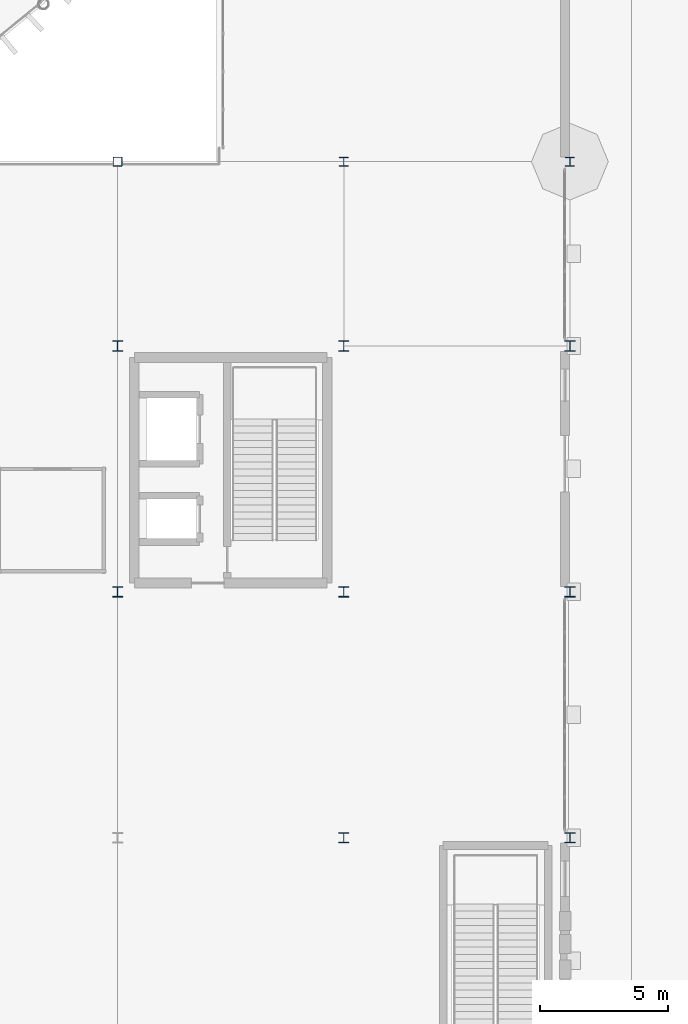
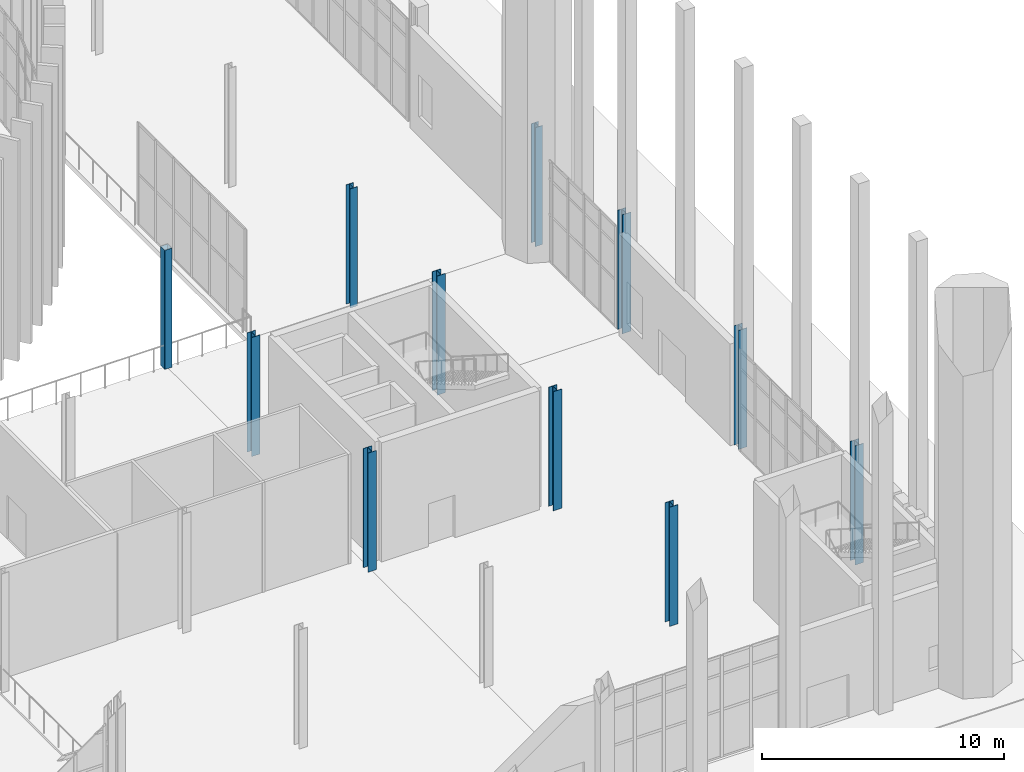
# One storey, part 18 of 139: 11 columns.
"""IFC4 building model written with IfcOpenShell, lengths in metres."""

import ifcopenshell
import ifcopenshell.guid

model = None  # the IFC model being written
_history = None  # IfcOwnerHistory: only IFC2X3 demands one
_inside = {}  # id of a spatial element -> (the spatial element, [elements in it])
_under = {}  # id of a project, library or spatial element -> (it, [spatial elements below it])
_declared = {}  # id of a project -> (the project, [libraries it declares])
_typed = {}  # id of a type object -> (the type object, [elements of that type])
_made_of = {}  # id of a material, layer set ... -> (it, [elements and type objects made of it])


def new_model(schema):
    """Start an empty IFC model of exactly this schema.

    Asked for "IFC4X3", IfcOpenShell would pick the latest addendum, in which some entities
    have other attributes; the version numbers below select the first issue.
    IFC2X3 requires an IfcOwnerHistory on every rooted entity: one is made here for all.
    """
    global model, _history
    if schema == "IFC4X3":
        model = ifcopenshell.file(schema_version=(4, 3, 0, 0))
    else:
        model = ifcopenshell.file(schema=schema)
    _inside.clear()
    _under.clear()
    _declared.clear()
    _typed.clear()
    _made_of.clear()
    _history = None
    if model.schema == "IFC2X3":
        org = make("IfcOrganization", Name="unknown")
        user = make(
            "IfcPersonAndOrganization",
            ThePerson=make("IfcPerson", FamilyName="unknown"),
            TheOrganization=org,
        )
        app = make(
            "IfcApplication",
            ApplicationDeveloper=org,
            Version="unknown",
            ApplicationFullName="unknown",
            ApplicationIdentifier="unknown",
        )
        _history = make(
            "IfcOwnerHistory",
            OwningUser=user,
            OwningApplication=app,
            ChangeAction="ADDED",
            CreationDate=0,
        )
    return model


def make(cls, **values):
    """One entity of the class cls with the attributes given. An attribute that is None is left unset."""
    return model.create_entity(
        cls, **{name: value for name, value in values.items() if value is not None}
    )


def rooted(cls, **values):
    """An entity with a GlobalId (a new one), such as an element, a storey or a relation."""
    return make(cls, GlobalId=ifcopenshell.guid.new(), OwnerHistory=_history, **values)


def si_unit(unit_type, name, prefix=None):
    """IfcSIUnit, for example si_unit("LENGTHUNIT", "METRE", prefix="MILLI")."""
    return make("IfcSIUnit", UnitType=unit_type, Prefix=prefix, Name=name)


def assignment(units):
    """IfcUnitAssignment: the units of a project."""
    return None if units is None else make("IfcUnitAssignment", Units=units)


def point(xyz):
    """IfcCartesianPoint."""
    return None if xyz is None else make("IfcCartesianPoint", Coordinates=xyz)


def direction(xyz):
    """IfcDirection."""
    return None if xyz is None else make("IfcDirection", DirectionRatios=xyz)


def frame(location, z_axis=None, x_axis=None):
    """IfcAxis2Placement3D, a coordinate frame: its origin and axes. An axis left out is left unset."""
    return make(
        "IfcAxis2Placement3D",
        Location=point(location),
        Axis=direction(z_axis),
        RefDirection=direction(x_axis),
    )


def frame_2d(location, x_axis=None):
    """IfcAxis2Placement2D, a coordinate frame in the plane: its origin and x axis."""
    return make(
        "IfcAxis2Placement2D", Location=point(location), RefDirection=direction(x_axis)
    )


def origin():
    """The frame at (0, 0, 0) with its axes left unset."""
    return frame((0.0, 0.0, 0.0))


def origin_2d():
    """The frame at (0, 0) in the plane with its x axis left unset."""
    return frame_2d((0.0, 0.0))


def place(relative_to, where):
    """IfcLocalPlacement: puts the frame where relative to a parent placement (None: the world)."""
    return make(
        "IfcLocalPlacement", PlacementRelTo=relative_to, RelativePlacement=where
    )


def context(
    kind, dimensions, precision=None, world=None, true_north=None, identifier=None
):
    """IfcGeometricRepresentationContext, for example the 3D "Model" context."""
    return make(
        "IfcGeometricRepresentationContext",
        ContextIdentifier=identifier,
        ContextType=kind,
        CoordinateSpaceDimension=dimensions,
        Precision=precision,
        WorldCoordinateSystem=world,
        TrueNorth=true_north,
    )


def subcontext(parent, identifier, kind, view, scale=None):
    """IfcGeometricRepresentationSubContext, for example "Body" below "Model"."""
    return make(
        "IfcGeometricRepresentationSubContext",
        ContextIdentifier=identifier,
        ContextType=kind,
        ParentContext=parent,
        TargetScale=scale,
        TargetView=view,
    )


def project(units=None, contexts=None):
    """IfcProject with its units and contexts."""
    return rooted(
        "IfcProject",
        Name="project",
        RepresentationContexts=contexts,
        UnitsInContext=assignment(units),
    )


def spatial(cls, under=None, at=None, **own):
    """A site, building, storey or space (cls), placed at a placement, below another one or the project."""
    s = rooted(cls, ObjectPlacement=at, **own)
    if under is not None:
        _under.setdefault(under.id(), (under, []))[1].append(s)
    return s


def profile(cls, at=None, kind="AREA", **sizes):
    """A parametric profile (cls). Its sizes go by their IFC names, for example OverallWidth=200.0."""
    return make(cls, ProfileType=kind, Position=at, **sizes)


def hollow_rectangle(**sizes):
    """IfcRectangleHollowProfileDef."""
    return profile("IfcRectangleHollowProfileDef", **sizes)


def i_section(**sizes):
    """IfcIShapeProfileDef."""
    return profile("IfcIShapeProfileDef", **sizes)


def extrude(swept, where, along, depth):
    """IfcExtrudedAreaSolid: the profile swept, set in the frame where, extruded along a direction by depth."""
    return make(
        "IfcExtrudedAreaSolid",
        SweptArea=swept,
        Position=where,
        ExtrudedDirection=direction(along),
        Depth=depth,
    )


def shape(context_of_items, identifier, shape_type, items):
    """IfcShapeRepresentation: the items that make up one representation, for example the "Body"."""
    return make(
        "IfcShapeRepresentation",
        ContextOfItems=context_of_items,
        RepresentationIdentifier=identifier,
        RepresentationType=shape_type,
        Items=items,
    )


def material(Name=None, Category=None):
    """IfcMaterial."""
    return make("IfcMaterial", Name=Name, Category=Category)


def material_profile(
    of_material, cross_section, Name=None, Category=None, Priority=None
):
    """IfcMaterialProfile: a cross section and its material."""
    return make(
        "IfcMaterialProfile",
        Name=Name,
        Material=of_material,
        Profile=cross_section,
        Priority=Priority,
        Category=Category,
    )


def profile_set(profiles, Name=None, composite=None):
    """IfcMaterialProfileSet."""
    return make(
        "IfcMaterialProfileSet",
        Name=Name,
        MaterialProfiles=profiles,
        CompositeProfile=composite,
    )


def made_of(thing, what):
    """Note that an element or type object is made of a material, layer set ...; save() writes the relation."""
    if what is not None:
        _made_of.setdefault(what.id(), (what, []))[1].append(thing)
    return thing


def type_object(cls, material=None, **own):
    """A type object (cls), such as IfcWallType, which elements share."""
    return made_of(rooted(cls, **own), material)


def element(
    cls,
    number,
    at=None,
    inside=None,
    cuts=None,
    type_object=None,
    material=None,
    context=None,
    identifier="Body",
    shape_type=None,
    held_by="IfcProductDefinitionShape",
    body=None,
    shapes=None,
    **own,
):
    """One element of the class cls, such as IfcWall. Its Tag is "e" and its number.

    at: its placement. inside: the storey or other place that contains it. cuts: it is an
    opening in that element (IfcRelVoidsElement). A single representation is given by context,
    identifier, shape_type and body (its items); several are given by shapes. held_by: the class
    of the entity that holds the representations. save() writes the other relations.
    """
    e = rooted(cls, Tag="e%d" % number, ObjectPlacement=at, **own)
    if body is not None:
        shapes = [shape(context, identifier, shape_type, body)]
    if shapes is not None:
        e.Representation = make(held_by, Representations=shapes)
    if inside is not None:
        _inside.setdefault(inside.id(), (inside, []))[1].append(e)
    if cuts is not None:
        rooted(
            "IfcRelVoidsElement", RelatingBuildingElement=cuts, RelatedOpeningElement=e
        )
    if type_object is not None:
        _typed.setdefault(type_object.id(), (type_object, []))[1].append(e)
    return made_of(e, material)


def aggregate(whole, parts):
    """IfcRelAggregates: a whole, such as a stair, and the parts it consists of."""
    return rooted("IfcRelAggregates", RelatingObject=whole, RelatedObjects=parts)


def save(model, path):
    """Write the relations noted so far, then the file.

    IfcRelAggregates (storeys below a building ...), IfcRelContainedInSpatialStructure (elements
    in a storey), IfcRelDefinesByType, IfcRelAssociatesMaterial and IfcRelDeclares: one each for
    every whole, place, type object, material and project.
    """
    for whole, parts in _under.values():
        aggregate(whole, parts)
    for where, things in _inside.values():
        rooted(
            "IfcRelContainedInSpatialStructure",
            RelatedElements=things,
            RelatingStructure=where,
        )
    for kind, things in _typed.values():
        rooted("IfcRelDefinesByType", RelatedObjects=things, RelatingType=kind)
    for what, things in _made_of.values():
        rooted("IfcRelAssociatesMaterial", RelatedObjects=things, RelatingMaterial=what)
    for by, libraries in _declared.values():
        rooted("IfcRelDeclares", RelatingContext=by, RelatedDefinitions=libraries)
    model.write(path)


model = new_model("IFC4")

# Units and contexts
model_context = context("Model", 3, precision=1e-05, world=origin(), true_north=direction((0.0, 1.0)))
body_context = subcontext(model_context, "Body", "Model", "MODEL_VIEW")
ifc_project = project(units=[si_unit("LENGTHUNIT", "METRE"), si_unit("AREAUNIT", "SQUARE_METRE"), si_unit("VOLUMEUNIT", "CUBIC_METRE"), si_unit("PLANEANGLEUNIT", "RADIAN"), si_unit("MASSUNIT", "GRAM", prefix="KILO")], contexts=[model_context])

# Site, building, storey
site_placement = place(None, origin())
site = spatial("IfcSite", under=ifc_project, at=site_placement, CompositionType="ELEMENT")
building_placement = place(site_placement, origin())
building = spatial("IfcBuilding", under=site, at=building_placement, Name="Yeouljin Market Hall", CompositionType="ELEMENT")
storey_placement = place(building_placement, origin())
storey = spatial("IfcBuildingStorey", under=building, at=storey_placement, Name="L00", CompositionType="ELEMENT", Elevation=0.0)

# Columns
ifc_material_1 = material(Name="Steel SM355", Category="steel")
ifc_material_profile_1 = material_profile(ifc_material_1, i_section(OverallWidth=0.35009765625, OverallDepth=0.35009765625, WebThickness=0.011962890625, FlangeThickness=0.01904296875, FilletRadius=0.02001953125, at=origin_2d()), Name="H-350x350x12x19")
ifc_profile_set_1 = profile_set([ifc_material_profile_1], Name="Steel SM355")
column_type_1 = type_object("IfcColumnType", Name="Col_H-350x350x12x19", PredefinedType="COLUMN", material=ifc_profile_set_1)
for number, where, z_axis, x_axis, name in (
    (1, (167.570068359375, 36.0, 0.0), (0.0, 0.0, 1.0), (1.0, 0.0, 0.0), "Column G-20-04 (L00)"),
    (2, (176.39990234375, 36.0, 0.0), (0.0, 0.0, 1.0), (1.0, 0.0, 0.0), "Column G-21-04 (L00)"),
):
    element("IfcColumn", number, at=place(storey_placement, frame(where, z_axis=z_axis, x_axis=x_axis)), inside=storey, type_object=column_type_1, Name=name, PredefinedType="COLUMN", context=body_context, shape_type="SweptSolid", body=[
        extrude(i_section(OverallWidth=0.35009765625, OverallDepth=0.35009765625, WebThickness=0.011962890625, FlangeThickness=0.01904296875, FilletRadius=0.02001953125, at=origin_2d()), origin(), (0.0, 0.0, 1.0), 6.0),
    ])
ifc_material_2 = material(Name="Steel SM355", Category="steel")
ifc_material_profile_2 = material_profile(ifc_material_2, i_section(OverallWidth=0.39990234375, OverallDepth=0.39990234375, WebThickness=0.012939453125, FlangeThickness=0.02099609375, FilletRadius=0.02197265625, at=origin_2d()), Name="H-400x400x13x21")
ifc_profile_set_2 = profile_set([ifc_material_profile_2], Name="Steel SM355")
column_type_2 = type_object("IfcColumnType", Name="Col_H-400x400x13x21", PredefinedType="COLUMN", material=ifc_profile_set_2)
for number, where, z_axis, x_axis, name in (
    (3, (158.739990234375, 19.199951171875, 0.0), (0.0, 0.0, 1.0), (1.0, 0.0, 0.0), "Column G-19-02 (L00)"),
    (4, (158.739990234375, 28.800048828125, 0.0), (0.0, 0.0, 1.0), (1.0, 0.0, 0.0), "Column G-19-03 (L00)"),
    (5, (167.570068359375, 9.60009765625, 0.0), (0.0, 0.0, 1.0), (1.0, 0.0, 0.0), "Column G-20-01 (L00)"),
    (6, (167.570068359375, 19.199951171875, 0.0), (0.0, 0.0, 1.0), (1.0, 0.0, 0.0), "Column G-20-02 (L00)"),
    (7, (167.570068359375, 28.800048828125, 0.0), (0.0, 0.0, 1.0), (1.0, 0.0, 0.0), "Column G-20-03 (L00)"),
    (8, (176.39990234375, 9.60009765625, 0.0), (0.0, 0.0, 1.0), (1.0, 0.0, 0.0), "Column G-21-01 (L00)"),
    (9, (176.39990234375, 19.199951171875, 0.0), (0.0, 0.0, 1.0), (1.0, 0.0, 0.0), "Column G-21-02 (L00)"),
    (10, (176.39990234375, 28.800048828125, 0.0), (0.0, 0.0, 1.0), (1.0, 0.0, 0.0), "Column G-21-03 (L00)"),
):
    element("IfcColumn", number, at=place(storey_placement, frame(where, z_axis=z_axis, x_axis=x_axis)), inside=storey, type_object=column_type_2, Name=name, PredefinedType="COLUMN", context=body_context, shape_type="SweptSolid", body=[
        extrude(i_section(OverallWidth=0.39990234375, OverallDepth=0.39990234375, WebThickness=0.012939453125, FlangeThickness=0.02099609375, FilletRadius=0.02197265625, at=origin_2d()), origin(), (0.0, 0.0, 1.0), 6.0),
    ])
ifc_material_3 = material(Name="Steel SM355", Category="steel")
ifc_material_profile_3 = material_profile(ifc_material_3, hollow_rectangle(XDim=0.35009765625, YDim=0.35009765625, WallThickness=0.011962890625, InnerFilletRadius=0.011962890625, OuterFilletRadius=0.01611328125, at=origin_2d()), Name="SHS-350x350x12")
ifc_profile_set_3 = profile_set([ifc_material_profile_3], Name="Steel SM355")
column_type_3 = type_object("IfcColumnType", Name="Col_SHS-350x350x12", PredefinedType="COLUMN", material=ifc_profile_set_3)
column_placement = place(storey_placement, frame((158.739990234375, 36.0, 0.0), z_axis=(0.0, 0.0, 1.0), x_axis=(1.0, 0.0, 0.0)))
element("IfcColumn", 11, at=column_placement, inside=storey, type_object=column_type_3, Name="Column G-19-04 (L00)", PredefinedType="COLUMN", context=body_context, shape_type="SweptSolid", body=[
    extrude(hollow_rectangle(XDim=0.35009765625, YDim=0.35009765625, WallThickness=0.011962890625, InnerFilletRadius=0.011962890625, OuterFilletRadius=0.01611328125, at=origin_2d()), origin(), (0.0, 0.0, 1.0), 6.0),
])

save(model, "model.ifc")
